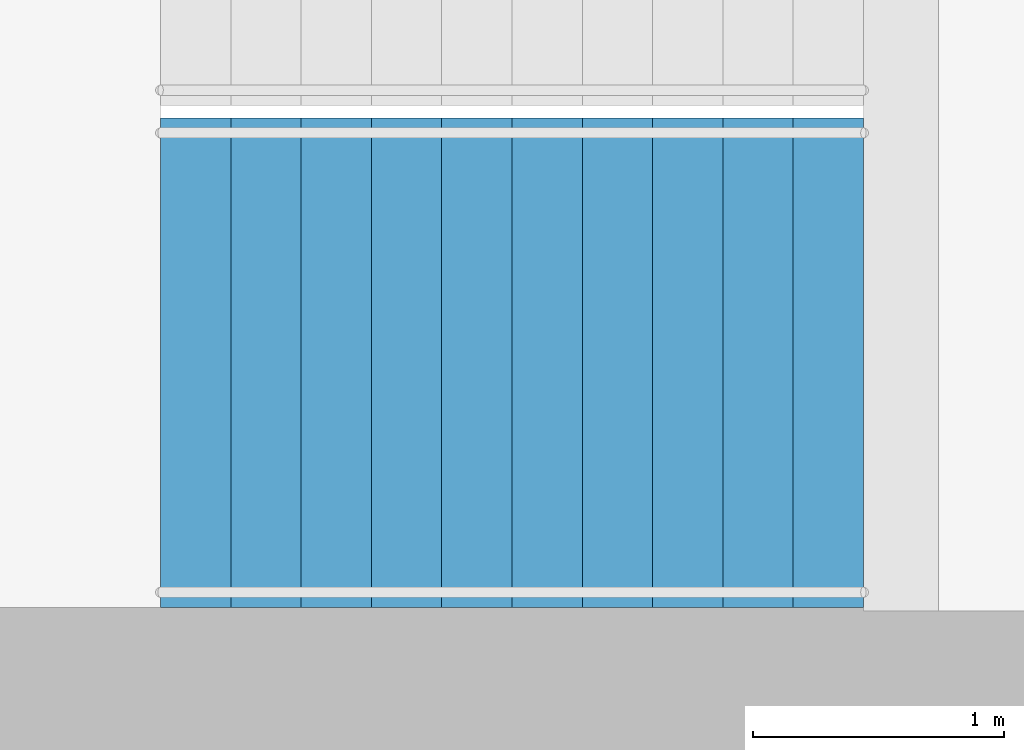
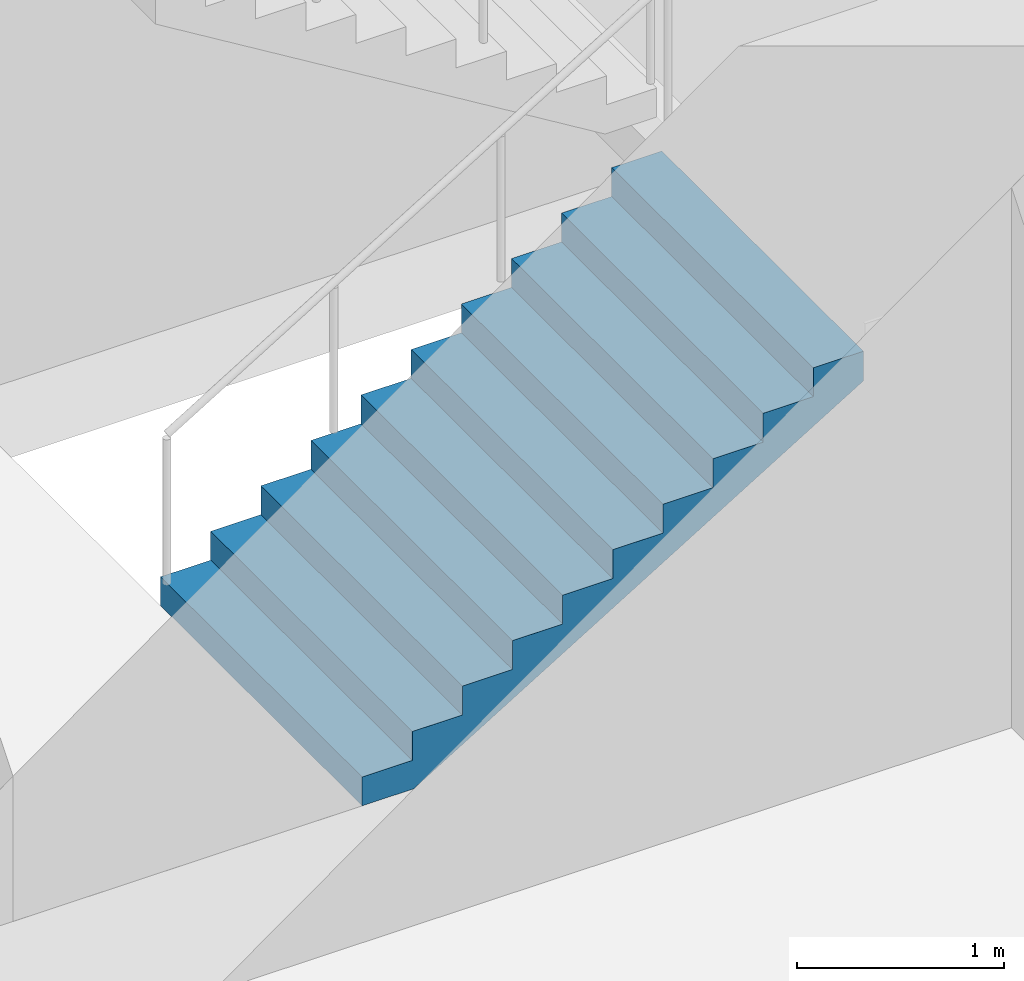
# One storey, part 20 of 26: 1 stair flight, 1 element without a shape of its own.
"""IFC4 building model written with IfcOpenShell, lengths in metres."""

import ifcopenshell
import ifcopenshell.guid

model = None  # the IFC model being written
_history = None  # IfcOwnerHistory: only IFC2X3 demands one
_inside = {}  # id of a spatial element -> (the spatial element, [elements in it])
_under = {}  # id of a project, library or spatial element -> (it, [spatial elements below it])
_declared = {}  # id of a project -> (the project, [libraries it declares])
_typed = {}  # id of a type object -> (the type object, [elements of that type])
_made_of = {}  # id of a material, layer set ... -> (it, [elements and type objects made of it])


def new_model(schema):
    """Start an empty IFC model of exactly this schema.

    Asked for "IFC4X3", IfcOpenShell would pick the latest addendum, in which some entities
    have other attributes; the version numbers below select the first issue.
    IFC2X3 requires an IfcOwnerHistory on every rooted entity: one is made here for all.
    """
    global model, _history
    if schema == "IFC4X3":
        model = ifcopenshell.file(schema_version=(4, 3, 0, 0))
    else:
        model = ifcopenshell.file(schema=schema)
    _inside.clear()
    _under.clear()
    _declared.clear()
    _typed.clear()
    _made_of.clear()
    _history = None
    if model.schema == "IFC2X3":
        org = make("IfcOrganization", Name="unknown")
        user = make(
            "IfcPersonAndOrganization",
            ThePerson=make("IfcPerson", FamilyName="unknown"),
            TheOrganization=org,
        )
        app = make(
            "IfcApplication",
            ApplicationDeveloper=org,
            Version="unknown",
            ApplicationFullName="unknown",
            ApplicationIdentifier="unknown",
        )
        _history = make(
            "IfcOwnerHistory",
            OwningUser=user,
            OwningApplication=app,
            ChangeAction="ADDED",
            CreationDate=0,
        )
    return model


def make(cls, **values):
    """One entity of the class cls with the attributes given. An attribute that is None is left unset."""
    return model.create_entity(
        cls, **{name: value for name, value in values.items() if value is not None}
    )


def rooted(cls, **values):
    """An entity with a GlobalId (a new one), such as an element, a storey or a relation."""
    return make(cls, GlobalId=ifcopenshell.guid.new(), OwnerHistory=_history, **values)


def si_unit(unit_type, name, prefix=None):
    """IfcSIUnit, for example si_unit("LENGTHUNIT", "METRE", prefix="MILLI")."""
    return make("IfcSIUnit", UnitType=unit_type, Prefix=prefix, Name=name)


def assignment(units):
    """IfcUnitAssignment: the units of a project."""
    return None if units is None else make("IfcUnitAssignment", Units=units)


def point(xyz):
    """IfcCartesianPoint."""
    return None if xyz is None else make("IfcCartesianPoint", Coordinates=xyz)


def direction(xyz):
    """IfcDirection."""
    return None if xyz is None else make("IfcDirection", DirectionRatios=xyz)


def frame(location, z_axis=None, x_axis=None):
    """IfcAxis2Placement3D, a coordinate frame: its origin and axes. An axis left out is left unset."""
    return make(
        "IfcAxis2Placement3D",
        Location=point(location),
        Axis=direction(z_axis),
        RefDirection=direction(x_axis),
    )


def origin():
    """The frame at (0, 0, 0) with its axes left unset."""
    return frame((0.0, 0.0, 0.0))


def place(relative_to, where):
    """IfcLocalPlacement: puts the frame where relative to a parent placement (None: the world)."""
    return make(
        "IfcLocalPlacement", PlacementRelTo=relative_to, RelativePlacement=where
    )


def context(
    kind, dimensions, precision=None, world=None, true_north=None, identifier=None
):
    """IfcGeometricRepresentationContext, for example the 3D "Model" context."""
    return make(
        "IfcGeometricRepresentationContext",
        ContextIdentifier=identifier,
        ContextType=kind,
        CoordinateSpaceDimension=dimensions,
        Precision=precision,
        WorldCoordinateSystem=world,
        TrueNorth=true_north,
    )


def subcontext(parent, identifier, kind, view, scale=None):
    """IfcGeometricRepresentationSubContext, for example "Body" below "Model"."""
    return make(
        "IfcGeometricRepresentationSubContext",
        ContextIdentifier=identifier,
        ContextType=kind,
        ParentContext=parent,
        TargetScale=scale,
        TargetView=view,
    )


def project(units=None, contexts=None):
    """IfcProject with its units and contexts."""
    return rooted(
        "IfcProject",
        Name="project",
        RepresentationContexts=contexts,
        UnitsInContext=assignment(units),
    )


def spatial(cls, under=None, at=None, **own):
    """A site, building, storey or space (cls), placed at a placement, below another one or the project."""
    s = rooted(cls, ObjectPlacement=at, **own)
    if under is not None:
        _under.setdefault(under.id(), (under, []))[1].append(s)
    return s


def point_list(points):
    """IfcCartesianPointList2D or 3D."""
    cls = (
        "IfcCartesianPointList2D" if len(points[0]) == 2 else "IfcCartesianPointList3D"
    )
    return make(cls, CoordList=points)


def triangles(points, corners, closed=None, point_numbers=None):
    """IfcTriangulatedFaceSet: each triangle names its three corners, points numbered from 1."""
    return make(
        "IfcTriangulatedFaceSet",
        Coordinates=point_list(points),
        Closed=closed,
        CoordIndex=corners,
        PnIndex=point_numbers,
    )


def shape(context_of_items, identifier, shape_type, items):
    """IfcShapeRepresentation: the items that make up one representation, for example the "Body"."""
    return make(
        "IfcShapeRepresentation",
        ContextOfItems=context_of_items,
        RepresentationIdentifier=identifier,
        RepresentationType=shape_type,
        Items=items,
    )


def material(Name=None, Category=None):
    """IfcMaterial."""
    return make("IfcMaterial", Name=Name, Category=Category)


def made_of(thing, what):
    """Note that an element or type object is made of a material, layer set ...; save() writes the relation."""
    if what is not None:
        _made_of.setdefault(what.id(), (what, []))[1].append(thing)
    return thing


def type_object(cls, material=None, **own):
    """A type object (cls), such as IfcWallType, which elements share."""
    return made_of(rooted(cls, **own), material)


def element(
    cls,
    number,
    at=None,
    inside=None,
    cuts=None,
    type_object=None,
    material=None,
    context=None,
    identifier="Body",
    shape_type=None,
    held_by="IfcProductDefinitionShape",
    body=None,
    shapes=None,
    **own,
):
    """One element of the class cls, such as IfcWall. Its Tag is "e" and its number.

    at: its placement. inside: the storey or other place that contains it. cuts: it is an
    opening in that element (IfcRelVoidsElement). A single representation is given by context,
    identifier, shape_type and body (its items); several are given by shapes. held_by: the class
    of the entity that holds the representations. save() writes the other relations.
    """
    e = rooted(cls, Tag="e%d" % number, ObjectPlacement=at, **own)
    if body is not None:
        shapes = [shape(context, identifier, shape_type, body)]
    if shapes is not None:
        e.Representation = make(held_by, Representations=shapes)
    if inside is not None:
        _inside.setdefault(inside.id(), (inside, []))[1].append(e)
    if cuts is not None:
        rooted(
            "IfcRelVoidsElement", RelatingBuildingElement=cuts, RelatedOpeningElement=e
        )
    if type_object is not None:
        _typed.setdefault(type_object.id(), (type_object, []))[1].append(e)
    return made_of(e, material)


def aggregate(whole, parts):
    """IfcRelAggregates: a whole, such as a stair, and the parts it consists of."""
    return rooted("IfcRelAggregates", RelatingObject=whole, RelatedObjects=parts)


def save(model, path):
    """Write the relations noted so far, then the file.

    IfcRelAggregates (storeys below a building ...), IfcRelContainedInSpatialStructure (elements
    in a storey), IfcRelDefinesByType, IfcRelAssociatesMaterial and IfcRelDeclares: one each for
    every whole, place, type object, material and project.
    """
    for whole, parts in _under.values():
        aggregate(whole, parts)
    for where, things in _inside.values():
        rooted(
            "IfcRelContainedInSpatialStructure",
            RelatedElements=things,
            RelatingStructure=where,
        )
    for kind, things in _typed.values():
        rooted("IfcRelDefinesByType", RelatedObjects=things, RelatingType=kind)
    for what, things in _made_of.values():
        rooted("IfcRelAssociatesMaterial", RelatedObjects=things, RelatingMaterial=what)
    for by, libraries in _declared.values():
        rooted("IfcRelDeclares", RelatingContext=by, RelatedDefinitions=libraries)
    model.write(path)


model = new_model("IFC4")

# Units and contexts
model_context = context("Model", 3, precision=1e-05, world=origin(), true_north=direction((0.0, 1.0)))
body_context = subcontext(model_context, "Body", "Model", "MODEL_VIEW")
ifc_project = project(units=[si_unit("LENGTHUNIT", "METRE"), si_unit("AREAUNIT", "SQUARE_METRE"), si_unit("VOLUMEUNIT", "CUBIC_METRE"), si_unit("PLANEANGLEUNIT", "RADIAN"), si_unit("MASSUNIT", "GRAM", prefix="KILO")], contexts=[model_context])

# Site, building, storey
site_placement = place(None, origin())
site = spatial("IfcSite", under=ifc_project, at=site_placement, CompositionType="ELEMENT")
building_placement = place(site_placement, origin())
building = spatial("IfcBuilding", under=site, at=building_placement, Name="Orbita Commons", CompositionType="ELEMENT")
storey_placement = place(building_placement, frame((0.0, 0.0, 53.949951171875)))
storey = spatial("IfcBuildingStorey", under=building, at=storey_placement, Name="L13", CompositionType="ELEMENT", Elevation=53.949951171875)

# Stair, stair flight
ifc_material_1 = material(Name="Precast concrete C40/50", Category="concrete")
stair_type = type_object("IfcStairType", Name="Exit stair S1 2 flights 11 risers 170", PredefinedType="HALF_TURN_STAIR", material=ifc_material_1)
stair_placement = place(storey_placement, origin())
stair = element("IfcStair", 1, at=stair_placement, inside=storey, type_object=stair_type, Name="Exit stair S1 L13", PredefinedType="HALF_TURN_STAIR")
ifc_material_2 = material(Name="Precast concrete C40/50", Category="concrete")
stair_flight_type = type_object("IfcStairFlightType", Name="Stair flight 11 risers 170 x 280", PredefinedType="STRAIGHT", material=ifc_material_2)
stair_flight_placement = place(storey_placement, frame((20.449951171875, 27.27490234375, 0.0), z_axis=(0.0, 0.0, 1.0), x_axis=(1.0, 0.0, 0.0)))
stair_flight = element("IfcStairFlight", 2, at=stair_flight_placement, type_object=stair_flight_type, Name="S1 flight 1", NumberOfRisers=11, NumberOfTreads=10, PredefinedType="STRAIGHT", RiserHeight=0.170454545, TreadLength=0.28, context=body_context, shape_type="Tessellation", body=[
    triangles([(0.0, 0.974976, 0.0), (0.0, 0.974976, 0.021307), (0.0, 0.81248, 0.021307), (0.0, 0.81248, 0.0), (0.0, 0.649984, 0.021307), (0.0, 0.649984, 0.0), (0.0, 0.487488, 0.021307), (0.0, 0.487488, 0.0), (0.0, 0.324992, 0.021307), (0.0, 0.324992, 0.0), (0.0, 0.162496, 0.021307), (0.0, 0.162496, 0.0), (0.0, 0.0, 0.021307), (0.0, 0.0, 0.0), (0.0, -0.162496, 0.021307), (0.0, -0.162496, 0.0), (0.0, -0.324992, 0.021307), (0.0, -0.324992, 0.0), (0.0, -0.487488, 0.021307), (0.0, -0.487488, 0.0), (0.0, -0.649984, 0.021307), (0.0, -0.649984, 0.0), (0.0, -0.81248, 0.021307), (0.0, -0.81248, 0.0), (0.0, -0.974976, 0.021307), (0.0, -0.974976, 0.0), (0.0, 0.974976, 0.042614), (0.0, 0.81248, 0.042614), (0.0, 0.649984, 0.042614), (0.0, 0.487488, 0.042614), (0.0, 0.324992, 0.042614), (0.0, 0.162496, 0.042614), (0.0, 0.0, 0.042614), (0.0, -0.162496, 0.042614), (0.0, -0.324992, 0.042614), (0.0, -0.487488, 0.042614), (0.0, -0.649984, 0.042614), (0.0, -0.81248, 0.042614), (0.0, -0.974976, 0.042614), (0.0, 0.974976, 0.06392), (0.0, 0.81248, 0.06392), (0.0, 0.649984, 0.06392), (0.0, 0.487488, 0.06392), (0.0, 0.324992, 0.06392), (0.0, 0.162496, 0.06392), (0.0, 0.0, 0.06392), (0.0, -0.162496, 0.06392), (0.0, -0.324992, 0.06392), (0.0, -0.487488, 0.06392), (0.0, -0.649984, 0.06392), (0.0, -0.81248, 0.06392), (0.0, -0.974976, 0.06392), (0.0, 0.974976, 0.085227), (0.0, 0.81248, 0.085227), (0.0, 0.649984, 0.085227), (0.0, 0.487488, 0.085227), (0.0, 0.324992, 0.085227), (0.0, 0.162496, 0.085227), (0.0, 0.0, 0.085227), (0.0, -0.162496, 0.085227), (0.0, -0.324992, 0.085227), (0.0, -0.487488, 0.085227), (0.0, -0.649984, 0.085227), (0.0, -0.81248, 0.085227), (0.0, -0.974976, 0.085227), (0.0, 0.974976, 0.106534), (0.0, 0.81248, 0.106534), (0.0, 0.649984, 0.106534), (0.0, 0.487488, 0.106534), (0.0, 0.324992, 0.106534), (0.0, 0.162496, 0.106534), (0.0, 0.0, 0.106534), (0.0, -0.162496, 0.106534), (0.0, -0.324992, 0.106534), (0.0, -0.487488, 0.106534), (0.0, -0.649984, 0.106534), (0.0, -0.81248, 0.106534), (0.0, -0.974976, 0.106534), (0.0, 0.974976, 0.127841), (0.0, 0.81248, 0.127841), (0.0, 0.649984, 0.127841), (0.0, 0.487488, 0.127841), (0.0, 0.324992, 0.127841), (0.0, 0.162496, 0.127841), (0.0, 0.0, 0.127841), (0.0, -0.162496, 0.127841), (0.0, -0.324992, 0.127841), (0.0, -0.487488, 0.127841), (0.0, -0.649984, 0.127841), (0.0, -0.81248, 0.127841), (0.0, -0.974976, 0.127841), (0.0, 0.974976, 0.149148), (0.0, 0.81248, 0.149148), (0.0, 0.649984, 0.149148), (0.0, 0.487488, 0.149148), (0.0, 0.324992, 0.149148), (0.0, 0.162496, 0.149148), (0.0, 0.0, 0.149148), (0.0, -0.162496, 0.149148), (0.0, -0.324992, 0.149148), (0.0, -0.487488, 0.149148), (0.0, -0.649984, 0.149148), (0.0, -0.81248, 0.149148), (0.0, -0.974976, 0.149148), (0.0, 0.974976, 0.170455), (0.0, 0.81248, 0.170455), (0.0, 0.649984, 0.170455), (0.0, 0.487488, 0.170455), (0.0, 0.324992, 0.170455), (0.0, 0.162496, 0.170455), (0.0, 0.0, 0.170455), (0.0, -0.162496, 0.170455), (0.0, -0.324992, 0.170455), (0.0, -0.487488, 0.170455), (0.0, -0.649984, 0.170455), (0.0, -0.81248, 0.170455), (0.0, -0.974976, 0.170455), (0.28, 0.974976, 0.170455), (0.28, 0.81248, 0.170455), (0.28, 0.649984, 0.170455), (0.28, 0.487488, 0.170455), (0.28, 0.324992, 0.170455), (0.28, 0.162496, 0.170455), (0.28, 0.0, 0.170455), (0.28, -0.162496, 0.170455), (0.28, -0.324992, 0.170455), (0.28, -0.487488, 0.170455), (0.28, -0.649984, 0.170455), (0.28, -0.81248, 0.170455), (0.28, -0.974976, 0.170455), (0.28, 0.974976, 0.340909), (0.28, 0.81248, 0.340909), (0.28, 0.649984, 0.340909), (0.28, 0.487488, 0.340909), (0.28, 0.324992, 0.340909), (0.28, 0.162496, 0.340909), (0.28, 0.0, 0.340909), (0.28, -0.162496, 0.340909), (0.28, -0.324992, 0.340909), (0.28, -0.487488, 0.340909), (0.28, -0.649984, 0.340909), (0.28, -0.81248, 0.340909), (0.28, -0.974976, 0.340909), (0.56, 0.974976, 0.340909), (0.56, 0.81248, 0.340909), (0.56, 0.649984, 0.340909), (0.56, 0.487488, 0.340909), (0.56, 0.324992, 0.340909), (0.56, 0.162496, 0.340909), (0.56, 0.0, 0.340909), (0.56, -0.162496, 0.340909), (0.56, -0.324992, 0.340909), (0.56, -0.487488, 0.340909), (0.56, -0.649984, 0.340909), (0.56, -0.81248, 0.340909), (0.56, -0.974976, 0.340909), (0.56, 0.974976, 0.511364), (0.56, 0.81248, 0.511364), (0.56, 0.649984, 0.511364), (0.56, 0.487488, 0.511364), (0.56, 0.324992, 0.511364), (0.56, 0.162496, 0.511364), (0.56, 0.0, 0.511364), (0.56, -0.162496, 0.511364), (0.56, -0.324992, 0.511364), (0.56, -0.487488, 0.511364), (0.56, -0.649984, 0.511364), (0.56, -0.81248, 0.511364), (0.56, -0.974976, 0.511364), (0.84, 0.974976, 0.511364), (0.84, 0.81248, 0.511364), (0.84, 0.649984, 0.511364), (0.84, 0.487488, 0.511364), (0.84, 0.324992, 0.511364), (0.84, 0.162496, 0.511364), (0.84, 0.0, 0.511364), (0.84, -0.162496, 0.511364), (0.84, -0.324992, 0.511364), (0.84, -0.487488, 0.511364), (0.84, -0.649984, 0.511364), (0.84, -0.81248, 0.511364), (0.84, -0.974976, 0.511364), (0.84, 0.974976, 0.681818), (0.84, 0.81248, 0.681818), (0.84, 0.649984, 0.681818), (0.84, 0.487488, 0.681818), (0.84, 0.324992, 0.681818), (0.84, 0.162496, 0.681818), (0.84, 0.0, 0.681818), (0.84, -0.162496, 0.681818), (0.84, -0.324992, 0.681818), (0.84, -0.487488, 0.681818), (0.84, -0.649984, 0.681818), (0.84, -0.81248, 0.681818), (0.84, -0.974976, 0.681818), (1.12, 0.974976, 0.681818), (1.12, 0.81248, 0.681818), (1.12, 0.649984, 0.681818), (1.12, 0.487488, 0.681818), (1.12, 0.324992, 0.681818), (1.12, 0.162496, 0.681818), (1.12, 0.0, 0.681818), (1.12, -0.162496, 0.681818), (1.12, -0.324992, 0.681818), (1.12, -0.487488, 0.681818), (1.12, -0.649984, 0.681818), (1.12, -0.81248, 0.681818), (1.12, -0.974976, 0.681818), (1.12, 0.974976, 0.852273), (1.12, 0.81248, 0.852273), (1.12, 0.649984, 0.852273), (1.12, 0.487488, 0.852273), (1.12, 0.324992, 0.852273), (1.12, 0.162496, 0.852273), (1.12, 0.0, 0.852273), (1.12, -0.162496, 0.852273), (1.12, -0.324992, 0.852273), (1.12, -0.487488, 0.852273), (1.12, -0.649984, 0.852273), (1.12, -0.81248, 0.852273), (1.12, -0.974976, 0.852273), (1.4, 0.974976, 0.852273), (1.4, 0.81248, 0.852273), (1.4, 0.649984, 0.852273), (1.4, 0.487488, 0.852273), (1.4, 0.324992, 0.852273), (1.4, 0.162496, 0.852273), (1.4, 0.0, 0.852273), (1.4, -0.162496, 0.852273), (1.4, -0.324992, 0.852273), (1.4, -0.487488, 0.852273), (1.4, -0.649984, 0.852273), (1.4, -0.81248, 0.852273), (1.4, -0.974976, 0.852273), (1.4, 0.974976, 1.022727), (1.4, 0.81248, 1.022727), (1.4, 0.649984, 1.022727), (1.4, 0.487488, 1.022727), (1.4, 0.324992, 1.022727), (1.4, 0.162496, 1.022727), (1.4, 0.0, 1.022727), (1.4, -0.162496, 1.022727), (1.4, -0.324992, 1.022727), (1.4, -0.487488, 1.022727), (1.4, -0.649984, 1.022727), (1.4, -0.81248, 1.022727), (1.4, -0.974976, 1.022727), (1.68, 0.974976, 1.022727), (1.68, 0.81248, 1.022727), (1.68, 0.649984, 1.022727), (1.68, 0.487488, 1.022727), (1.68, 0.324992, 1.022727), (1.68, 0.162496, 1.022727), (1.68, 0.0, 1.022727), (1.68, -0.162496, 1.022727), (1.68, -0.324992, 1.022727), (1.68, -0.487488, 1.022727), (1.68, -0.649984, 1.022727), (1.68, -0.81248, 1.022727), (1.68, -0.974976, 1.022727), (1.68, 0.974976, 1.193182), (1.68, 0.81248, 1.193182), (1.68, 0.649984, 1.193182), (1.68, 0.487488, 1.193182), (1.68, 0.324992, 1.193182), (1.68, 0.162496, 1.193182), (1.68, 0.0, 1.193182), (1.68, -0.162496, 1.193182), (1.68, -0.324992, 1.193182), (1.68, -0.487488, 1.193182), (1.68, -0.649984, 1.193182), (1.68, -0.81248, 1.193182), (1.68, -0.974976, 1.193182), (1.96, 0.974976, 1.193182), (1.96, 0.81248, 1.193182), (1.96, 0.649984, 1.193182), (1.96, 0.487488, 1.193182), (1.96, 0.324992, 1.193182), (1.96, 0.162496, 1.193182), (1.96, 0.0, 1.193182), (1.96, -0.162496, 1.193182), (1.96, -0.324992, 1.193182), (1.96, -0.487488, 1.193182), (1.96, -0.649984, 1.193182), (1.96, -0.81248, 1.193182), (1.96, -0.974976, 1.193182), (1.96, 0.974976, 1.363636), (1.96, 0.81248, 1.363636), (1.96, 0.649984, 1.363636), (1.96, 0.487488, 1.363636), (1.96, 0.324992, 1.363636), (1.96, 0.162496, 1.363636), (1.96, 0.0, 1.363636), (1.96, -0.162496, 1.363636), (1.96, -0.324992, 1.363636), (1.96, -0.487488, 1.363636), (1.96, -0.649984, 1.363636), (1.96, -0.81248, 1.363636), (1.96, -0.974976, 1.363636), (2.24, 0.974976, 1.363636), (2.24, 0.81248, 1.363636), (2.24, 0.649984, 1.363636), (2.24, 0.487488, 1.363636), (2.24, 0.324992, 1.363636), (2.24, 0.162496, 1.363636), (2.24, 0.0, 1.363636), (2.24, -0.162496, 1.363636), (2.24, -0.324992, 1.363636), (2.24, -0.487488, 1.363636), (2.24, -0.649984, 1.363636), (2.24, -0.81248, 1.363636), (2.24, -0.974976, 1.363636), (2.24, 0.974976, 1.534091), (2.24, 0.81248, 1.534091), (2.24, 0.649984, 1.534091), (2.24, 0.487488, 1.534091), (2.24, 0.324992, 1.534091), (2.24, 0.162496, 1.534091), (2.24, 0.0, 1.534091), (2.24, -0.162496, 1.534091), (2.24, -0.324992, 1.534091), (2.24, -0.487488, 1.534091), (2.24, -0.649984, 1.534091), (2.24, -0.81248, 1.534091), (2.24, -0.974976, 1.534091), (2.52, 0.974976, 1.534091), (2.52, 0.81248, 1.534091), (2.52, 0.649984, 1.534091), (2.52, 0.487488, 1.534091), (2.52, 0.324992, 1.534091), (2.52, 0.162496, 1.534091), (2.52, 0.0, 1.534091), (2.52, -0.162496, 1.534091), (2.52, -0.324992, 1.534091), (2.52, -0.487488, 1.534091), (2.52, -0.649984, 1.534091), (2.52, -0.81248, 1.534091), (2.52, -0.974976, 1.534091), (2.52, 0.974976, 1.704545), (2.52, 0.81248, 1.704545), (2.52, 0.649984, 1.704545), (2.52, 0.487488, 1.704545), (2.52, 0.324992, 1.704545), (2.52, 0.162496, 1.704545), (2.52, 0.0, 1.704545), (2.52, -0.162496, 1.704545), (2.52, -0.324992, 1.704545), (2.52, -0.487488, 1.704545), (2.52, -0.649984, 1.704545), (2.52, -0.81248, 1.704545), (2.52, -0.974976, 1.704545), (2.8, 0.974976, 1.704545), (2.8, 0.81248, 1.704545), (2.8, 0.649984, 1.704545), (2.8, 0.487488, 1.704545), (2.8, 0.324992, 1.704545), (2.8, 0.162496, 1.704545), (2.8, 0.0, 1.704545), (2.8, -0.162496, 1.704545), (2.8, -0.324992, 1.704545), (2.8, -0.487488, 1.704545), (2.8, -0.649984, 1.704545), (2.8, -0.81248, 1.704545), (2.8, -0.974976, 1.704545), (2.8, 0.974976, 1.682609), (2.8, 0.81248, 1.682609), (2.8, 0.649984, 1.682609), (2.8, 0.487488, 1.682609), (2.8, 0.324992, 1.682609), (2.8, 0.162496, 1.682609), (2.8, 0.0, 1.682609), (2.8, -0.162496, 1.682609), (2.8, -0.324992, 1.682609), (2.8, -0.487488, 1.682609), (2.8, -0.649984, 1.682609), (2.8, -0.81248, 1.682609), (2.8, -0.974976, 1.682609), (2.8, 0.974976, 1.660672), (2.8, 0.81248, 1.660672), (2.8, 0.649984, 1.660672), (2.8, 0.487488, 1.660672), (2.8, 0.324992, 1.660672), (2.8, 0.162496, 1.660672), (2.8, 0.0, 1.660672), (2.8, -0.162496, 1.660672), (2.8, -0.324992, 1.660672), (2.8, -0.487488, 1.660672), (2.8, -0.649984, 1.660672), (2.8, -0.81248, 1.660672), (2.8, -0.974976, 1.660672), (2.8, 0.974976, 1.638735), (2.8, 0.81248, 1.638735), (2.8, 0.649984, 1.638735), (2.8, 0.487488, 1.638735), (2.8, 0.324992, 1.638735), (2.8, 0.162496, 1.638735), (2.8, 0.0, 1.638735), (2.8, -0.162496, 1.638735), (2.8, -0.324992, 1.638735), (2.8, -0.487488, 1.638735), (2.8, -0.649984, 1.638735), (2.8, -0.81248, 1.638735), (2.8, -0.974976, 1.638735), (2.8, 0.974976, 1.616798), (2.8, 0.81248, 1.616798), (2.8, 0.649984, 1.616798), (2.8, 0.487488, 1.616798), (2.8, 0.324992, 1.616798), (2.8, 0.162496, 1.616798), (2.8, 0.0, 1.616798), (2.8, -0.162496, 1.616798), (2.8, -0.324992, 1.616798), (2.8, -0.487488, 1.616798), (2.8, -0.649984, 1.616798), (2.8, -0.81248, 1.616798), (2.8, -0.974976, 1.616798), (2.8, 0.974976, 1.594861), (2.8, 0.81248, 1.594861), (2.8, 0.649984, 1.594861), (2.8, 0.487488, 1.594861), (2.8, 0.324992, 1.594861), (2.8, 0.162496, 1.594861), (2.8, 0.0, 1.594861), (2.8, -0.162496, 1.594861), (2.8, -0.324992, 1.594861), (2.8, -0.487488, 1.594861), (2.8, -0.649984, 1.594861), (2.8, -0.81248, 1.594861), (2.8, -0.974976, 1.594861), (2.8, 0.974976, 1.572925), (2.8, 0.81248, 1.572925), (2.8, 0.649984, 1.572925), (2.8, 0.487488, 1.572925), (2.8, 0.324992, 1.572925), (2.8, 0.162496, 1.572925), (2.8, 0.0, 1.572925), (2.8, -0.162496, 1.572925), (2.8, -0.324992, 1.572925), (2.8, -0.487488, 1.572925), (2.8, -0.649984, 1.572925), (2.8, -0.81248, 1.572925), (2.8, -0.974976, 1.572925), (2.8, 0.974976, 1.550988), (2.8, 0.81248, 1.550988), (2.8, 0.649984, 1.550988), (2.8, 0.487488, 1.550988), (2.8, 0.324992, 1.550988), (2.8, 0.162496, 1.550988), (2.8, 0.0, 1.550988), (2.8, -0.162496, 1.550988), (2.8, -0.324992, 1.550988), (2.8, -0.487488, 1.550988), (2.8, -0.649984, 1.550988), (2.8, -0.81248, 1.550988), (2.8, -0.974976, 1.550988), (2.8, 0.974976, 1.529051), (2.8, 0.81248, 1.529051), (2.8, 0.649984, 1.529051), (2.8, 0.487488, 1.529051), (2.8, 0.324992, 1.529051), (2.8, 0.162496, 1.529051), (2.8, 0.0, 1.529051), (2.8, -0.162496, 1.529051), (2.8, -0.324992, 1.529051), (2.8, -0.487488, 1.529051), (2.8, -0.649984, 1.529051), (2.8, -0.81248, 1.529051), (2.8, -0.974976, 1.529051), (0.288279, 0.974976, 0.0), (0.288279, 0.81248, 0.0), (0.288279, 0.649984, 0.0), (0.288279, 0.487488, 0.0), (0.288279, 0.324992, 0.0), (0.288279, 0.162496, 0.0), (0.288279, 0.0, 0.0), (0.288279, -0.162496, 0.0), (0.288279, -0.324992, 0.0), (0.288279, -0.487488, 0.0), (0.288279, -0.649984, 0.0), (0.288279, -0.81248, 0.0), (0.288279, -0.974976, 0.0)], [[3, 2, 1], [4, 3, 1], [5, 3, 4], [6, 5, 4], [7, 5, 6], [8, 7, 6], [9, 7, 8], [10, 9, 8], [11, 9, 10], [12, 11, 10], [13, 11, 12], [14, 13, 12], [15, 13, 14], [16, 15, 14], [17, 15, 16], [18, 17, 16], [19, 17, 18], [20, 19, 18], [21, 19, 20], [22, 21, 20], [23, 21, 22], [24, 23, 22], [25, 23, 24], [26, 25, 24], [28, 27, 2], [3, 28, 2], [29, 28, 3], [5, 29, 3], [30, 29, 5], [7, 30, 5], [31, 30, 7], [9, 31, 7], [32, 31, 9], [11, 32, 9], [33, 32, 11], [13, 33, 11], [34, 33, 13], [15, 34, 13], [35, 34, 15], [17, 35, 15], [36, 35, 17], [19, 36, 17], [37, 36, 19], [21, 37, 19], [38, 37, 21], [23, 38, 21], [39, 38, 23], [25, 39, 23], [41, 40, 27], [28, 41, 27], [42, 41, 28], [29, 42, 28], [43, 42, 29], [30, 43, 29], [44, 43, 30], [31, 44, 30], [45, 44, 31], [32, 45, 31], [46, 45, 32], [33, 46, 32], [47, 46, 33], [34, 47, 33], [48, 47, 34], [35, 48, 34], [49, 48, 35], [36, 49, 35], [50, 49, 36], [37, 50, 36], [51, 50, 37], [38, 51, 37], [52, 51, 38], [39, 52, 38], [54, 53, 40], [41, 54, 40], [55, 54, 41], [42, 55, 41], [56, 55, 42], [43, 56, 42], [57, 56, 43], [44, 57, 43], [58, 57, 44], [45, 58, 44], [59, 58, 45], [46, 59, 45], [60, 59, 46], [47, 60, 46], [61, 60, 47], [48, 61, 47], [62, 61, 48], [49, 62, 48], [63, 62, 49], [50, 63, 49], [64, 63, 50], [51, 64, 50], [65, 64, 51], [52, 65, 51], [67, 66, 53], [54, 67, 53], [68, 67, 54], [55, 68, 54], [69, 68, 55], [56, 69, 55], [70, 69, 56], [57, 70, 56], [71, 70, 57], [58, 71, 57], [72, 71, 58], [59, 72, 58], [73, 72, 59], [60, 73, 59], [74, 73, 60], [61, 74, 60], [75, 74, 61], [62, 75, 61], [76, 75, 62], [63, 76, 62], [77, 76, 63], [64, 77, 63], [78, 77, 64], [65, 78, 64], [80, 79, 66], [67, 80, 66], [81, 80, 67], [68, 81, 67], [82, 81, 68], [69, 82, 68], [83, 82, 69], [70, 83, 69], [84, 83, 70], [71, 84, 70], [85, 84, 71], [72, 85, 71], [86, 85, 72], [73, 86, 72], [87, 86, 73], [74, 87, 73], [88, 87, 74], [75, 88, 74], [89, 88, 75], [76, 89, 75], [90, 89, 76], [77, 90, 76], [91, 90, 77], [78, 91, 77], [93, 92, 79], [80, 93, 79], [94, 93, 80], [81, 94, 80], [95, 94, 81], [82, 95, 81], [96, 95, 82], [83, 96, 82], [97, 96, 83], [84, 97, 83], [98, 97, 84], [85, 98, 84], [99, 98, 85], [86, 99, 85], [100, 99, 86], [87, 100, 86], [101, 100, 87], [88, 101, 87], [102, 101, 88], [89, 102, 88], [103, 102, 89], [90, 103, 89], [104, 103, 90], [91, 104, 90], [106, 105, 92], [93, 106, 92], [107, 106, 93], [94, 107, 93], [108, 107, 94], [95, 108, 94], [109, 108, 95], [96, 109, 95], [110, 109, 96], [97, 110, 96], [111, 110, 97], [98, 111, 97], [112, 111, 98], [99, 112, 98], [113, 112, 99], [100, 113, 99], [114, 113, 100], [101, 114, 100], [115, 114, 101], [102, 115, 101], [116, 115, 102], [103, 116, 102], [117, 116, 103], [104, 117, 103], [119, 118, 105], [106, 119, 105], [120, 119, 106], [107, 120, 106], [121, 120, 107], [108, 121, 107], [122, 121, 108], [109, 122, 108], [123, 122, 109], [110, 123, 109], [124, 123, 110], [111, 124, 110], [125, 124, 111], [112, 125, 111], [126, 125, 112], [113, 126, 112], [127, 126, 113], [114, 127, 113], [128, 127, 114], [115, 128, 114], [129, 128, 115], [116, 129, 115], [130, 129, 116], [117, 130, 116], [132, 131, 118], [119, 132, 118], [133, 132, 119], [120, 133, 119], [134, 133, 120], [121, 134, 120], [135, 134, 121], [122, 135, 121], [136, 135, 122], [123, 136, 122], [137, 136, 123], [124, 137, 123], [138, 137, 124], [125, 138, 124], [139, 138, 125], [126, 139, 125], [140, 139, 126], [127, 140, 126], [141, 140, 127], [128, 141, 127], [142, 141, 128], [129, 142, 128], [143, 142, 129], [130, 143, 129], [145, 144, 131], [132, 145, 131], [146, 145, 132], [133, 146, 132], [147, 146, 133], [134, 147, 133], [148, 147, 134], [135, 148, 134], [149, 148, 135], [136, 149, 135], [150, 149, 136], [137, 150, 136], [151, 150, 137], [138, 151, 137], [152, 151, 138], [139, 152, 138], [153, 152, 139], [140, 153, 139], [154, 153, 140], [141, 154, 140], [155, 154, 141], [142, 155, 141], [156, 155, 142], [143, 156, 142], [158, 157, 144], [145, 158, 144], [159, 158, 145], [146, 159, 145], [160, 159, 146], [147, 160, 146], [161, 160, 147], [148, 161, 147], [162, 161, 148], [149, 162, 148], [163, 162, 149], [150, 163, 149], [164, 163, 150], [151, 164, 150], [165, 164, 151], [152, 165, 151], [166, 165, 152], [153, 166, 152], [167, 166, 153], [154, 167, 153], [168, 167, 154], [155, 168, 154], [169, 168, 155], [156, 169, 155], [171, 170, 157], [158, 171, 157], [172, 171, 158], [159, 172, 158], [173, 172, 159], [160, 173, 159], [174, 173, 160], [161, 174, 160], [175, 174, 161], [162, 175, 161], [176, 175, 162], [163, 176, 162], [177, 176, 163], [164, 177, 163], [178, 177, 164], [165, 178, 164], [179, 178, 165], [166, 179, 165], [180, 179, 166], [167, 180, 166], [181, 180, 167], [168, 181, 167], [182, 181, 168], [169, 182, 168], [184, 183, 170], [171, 184, 170], [185, 184, 171], [172, 185, 171], [186, 185, 172], [173, 186, 172], [187, 186, 173], [174, 187, 173], [188, 187, 174], [175, 188, 174], [189, 188, 175], [176, 189, 175], [190, 189, 176], [177, 190, 176], [191, 190, 177], [178, 191, 177], [192, 191, 178], [179, 192, 178], [193, 192, 179], [180, 193, 179], [194, 193, 180], [181, 194, 180], [195, 194, 181], [182, 195, 181], [197, 196, 183], [184, 197, 183], [198, 197, 184], [185, 198, 184], [199, 198, 185], [186, 199, 185], [200, 199, 186], [187, 200, 186], [201, 200, 187], [188, 201, 187], [202, 201, 188], [189, 202, 188], [203, 202, 189], [190, 203, 189], [204, 203, 190], [191, 204, 190], [205, 204, 191], [192, 205, 191], [206, 205, 192], [193, 206, 192], [207, 206, 193], [194, 207, 193], [208, 207, 194], [195, 208, 194], [210, 209, 196], [197, 210, 196], [211, 210, 197], [198, 211, 197], [212, 211, 198], [199, 212, 198], [213, 212, 199], [200, 213, 199], [214, 213, 200], [201, 214, 200], [215, 214, 201], [202, 215, 201], [216, 215, 202], [203, 216, 202], [217, 216, 203], [204, 217, 203], [218, 217, 204], [205, 218, 204], [219, 218, 205], [206, 219, 205], [220, 219, 206], [207, 220, 206], [221, 220, 207], [208, 221, 207], [223, 222, 209], [210, 223, 209], [224, 223, 210], [211, 224, 210], [225, 224, 211], [212, 225, 211], [226, 225, 212], [213, 226, 212], [227, 226, 213], [214, 227, 213], [228, 227, 214], [215, 228, 214], [229, 228, 215], [216, 229, 215], [230, 229, 216], [217, 230, 216], [231, 230, 217], [218, 231, 217], [232, 231, 218], [219, 232, 218], [233, 232, 219], [220, 233, 219], [234, 233, 220], [221, 234, 220], [236, 235, 222], [223, 236, 222], [237, 236, 223], [224, 237, 223], [238, 237, 224], [225, 238, 224], [239, 238, 225], [226, 239, 225], [240, 239, 226], [227, 240, 226], [241, 240, 227], [228, 241, 227], [242, 241, 228], [229, 242, 228], [243, 242, 229], [230, 243, 229], [244, 243, 230], [231, 244, 230], [245, 244, 231], [232, 245, 231], [246, 245, 232], [233, 246, 232], [247, 246, 233], [234, 247, 233], [249, 248, 235], [236, 249, 235], [250, 249, 236], [237, 250, 236], [251, 250, 237], [238, 251, 237], [252, 251, 238], [239, 252, 238], [253, 252, 239], [240, 253, 239], [254, 253, 240], [241, 254, 240], [255, 254, 241], [242, 255, 241], [256, 255, 242], [243, 256, 242], [257, 256, 243], [244, 257, 243], [258, 257, 244], [245, 258, 244], [259, 258, 245], [246, 259, 245], [260, 259, 246], [247, 260, 246], [262, 261, 248], [249, 262, 248], [263, 262, 249], [250, 263, 249], [264, 263, 250], [251, 264, 250], [265, 264, 251], [252, 265, 251], [266, 265, 252], [253, 266, 252], [267, 266, 253], [254, 267, 253], [268, 267, 254], [255, 268, 254], [269, 268, 255], [256, 269, 255], [270, 269, 256], [257, 270, 256], [271, 270, 257], [258, 271, 257], [272, 271, 258], [259, 272, 258], [273, 272, 259], [260, 273, 259], [275, 274, 261], [262, 275, 261], [276, 275, 262], [263, 276, 262], [277, 276, 263], [264, 277, 263], [278, 277, 264], [265, 278, 264], [279, 278, 265], [266, 279, 265], [280, 279, 266], [267, 280, 266], [281, 280, 267], [268, 281, 267], [282, 281, 268], [269, 282, 268], [283, 282, 269], [270, 283, 269], [284, 283, 270], [271, 284, 270], [285, 284, 271], [272, 285, 271], [286, 285, 272], [273, 286, 272], [288, 287, 274], [275, 288, 274], [289, 288, 275], [276, 289, 275], [290, 289, 276], [277, 290, 276], [291, 290, 277], [278, 291, 277], [292, 291, 278], [279, 292, 278], [293, 292, 279], [280, 293, 279], [294, 293, 280], [281, 294, 280], [295, 294, 281], [282, 295, 281], [296, 295, 282], [283, 296, 282], [297, 296, 283], [284, 297, 283], [298, 297, 284], [285, 298, 284], [299, 298, 285], [286, 299, 285], [301, 300, 287], [288, 301, 287], [302, 301, 288], [289, 302, 288], [303, 302, 289], [290, 303, 289], [304, 303, 290], [291, 304, 290], [305, 304, 291], [292, 305, 291], [306, 305, 292], [293, 306, 292], [307, 306, 293], [294, 307, 293], [308, 307, 294], [295, 308, 294], [309, 308, 295], [296, 309, 295], [310, 309, 296], [297, 310, 296], [311, 310, 297], [298, 311, 297], [312, 311, 298], [299, 312, 298], [314, 313, 300], [301, 314, 300], [315, 314, 301], [302, 315, 301], [316, 315, 302], [303, 316, 302], [317, 316, 303], [304, 317, 303], [318, 317, 304], [305, 318, 304], [319, 318, 305], [306, 319, 305], [320, 319, 306], [307, 320, 306], [321, 320, 307], [308, 321, 307], [322, 321, 308], [309, 322, 308], [323, 322, 309], [310, 323, 309], [324, 323, 310], [311, 324, 310], [325, 324, 311], [312, 325, 311], [327, 326, 313], [314, 327, 313], [328, 327, 314], [315, 328, 314], [329, 328, 315], [316, 329, 315], [330, 329, 316], [317, 330, 316], [331, 330, 317], [318, 331, 317], [332, 331, 318], [319, 332, 318], [333, 332, 319], [320, 333, 319], [334, 333, 320], [321, 334, 320], [335, 334, 321], [322, 335, 321], [336, 335, 322], [323, 336, 322], [337, 336, 323], [324, 337, 323], [338, 337, 324], [325, 338, 324], [340, 339, 326], [327, 340, 326], [341, 340, 327], [328, 341, 327], [342, 341, 328], [329, 342, 328], [343, 342, 329], [330, 343, 329], [344, 343, 330], [331, 344, 330], [345, 344, 331], [332, 345, 331], [346, 345, 332], [333, 346, 332], [347, 346, 333], [334, 347, 333], [348, 347, 334], [335, 348, 334], [349, 348, 335], [336, 349, 335], [350, 349, 336], [337, 350, 336], [351, 350, 337], [338, 351, 337], [353, 352, 339], [340, 353, 339], [354, 353, 340], [341, 354, 340], [355, 354, 341], [342, 355, 341], [356, 355, 342], [343, 356, 342], [357, 356, 343], [344, 357, 343], [358, 357, 344], [345, 358, 344], [359, 358, 345], [346, 359, 345], [360, 359, 346], [347, 360, 346], [361, 360, 347], [348, 361, 347], [362, 361, 348], [349, 362, 348], [363, 362, 349], [350, 363, 349], [364, 363, 350], [351, 364, 350], [366, 365, 352], [353, 366, 352], [367, 366, 353], [354, 367, 353], [368, 367, 354], [355, 368, 354], [369, 368, 355], [356, 369, 355], [370, 369, 356], [357, 370, 356], [371, 370, 357], [358, 371, 357], [372, 371, 358], [359, 372, 358], [373, 372, 359], [360, 373, 359], [374, 373, 360], [361, 374, 360], [375, 374, 361], [362, 375, 361], [376, 375, 362], [363, 376, 362], [377, 376, 363], [364, 377, 363], [379, 378, 365], [366, 379, 365], [380, 379, 366], [367, 380, 366], [381, 380, 367], [368, 381, 367], [382, 381, 368], [369, 382, 368], [383, 382, 369], [370, 383, 369], [384, 383, 370], [371, 384, 370], [385, 384, 371], [372, 385, 371], [386, 385, 372], [373, 386, 372], [387, 386, 373], [374, 387, 373], [388, 387, 374], [375, 388, 374], [389, 388, 375], [376, 389, 375], [390, 389, 376], [377, 390, 376], [392, 391, 378], [379, 392, 378], [393, 392, 379], [380, 393, 379], [394, 393, 380], [381, 394, 380], [395, 394, 381], [382, 395, 381], [396, 395, 382], [383, 396, 382], [397, 396, 383], [384, 397, 383], [398, 397, 384], [385, 398, 384], [399, 398, 385], [386, 399, 385], [400, 399, 386], [387, 400, 386], [401, 400, 387], [388, 401, 387], [402, 401, 388], [389, 402, 388], [403, 402, 389], [390, 403, 389], [405, 404, 391], [392, 405, 391], [406, 405, 392], [393, 406, 392], [407, 406, 393], [394, 407, 393], [408, 407, 394], [395, 408, 394], [409, 408, 395], [396, 409, 395], [410, 409, 396], [397, 410, 396], [411, 410, 397], [398, 411, 397], [412, 411, 398], [399, 412, 398], [413, 412, 399], [400, 413, 399], [414, 413, 400], [401, 414, 400], [415, 414, 401], [402, 415, 401], [416, 415, 402], [403, 416, 402], [418, 417, 404], [405, 418, 404], [419, 418, 405], [406, 419, 405], [420, 419, 406], [407, 420, 406], [421, 420, 407], [408, 421, 407], [422, 421, 408], [409, 422, 408], [423, 422, 409], [410, 423, 409], [424, 423, 410], [411, 424, 410], [425, 424, 411], [412, 425, 411], [426, 425, 412], [413, 426, 412], [427, 426, 413], [414, 427, 413], [428, 427, 414], [415, 428, 414], [429, 428, 415], [416, 429, 415], [431, 430, 417], [418, 431, 417], [432, 431, 418], [419, 432, 418], [433, 432, 419], [420, 433, 419], [434, 433, 420], [421, 434, 420], [435, 434, 421], [422, 435, 421], [436, 435, 422], [423, 436, 422], [437, 436, 423], [424, 437, 423], [438, 437, 424], [425, 438, 424], [439, 438, 425], [426, 439, 425], [440, 439, 426], [427, 440, 426], [441, 440, 427], [428, 441, 427], [442, 441, 428], [429, 442, 428], [444, 443, 430], [431, 444, 430], [445, 444, 431], [432, 445, 431], [446, 445, 432], [433, 446, 432], [447, 446, 433], [434, 447, 433], [448, 447, 434], [435, 448, 434], [449, 448, 435], [436, 449, 435], [450, 449, 436], [437, 450, 436], [451, 450, 437], [438, 451, 437], [452, 451, 438], [439, 452, 438], [453, 452, 439], [440, 453, 439], [454, 453, 440], [441, 454, 440], [455, 454, 441], [442, 455, 441], [457, 456, 443], [444, 457, 443], [458, 457, 444], [445, 458, 444], [459, 458, 445], [446, 459, 445], [460, 459, 446], [447, 460, 446], [461, 460, 447], [448, 461, 447], [462, 461, 448], [449, 462, 448], [463, 462, 449], [450, 463, 449], [464, 463, 450], [451, 464, 450], [465, 464, 451], [452, 465, 451], [466, 465, 452], [453, 466, 452], [467, 466, 453], [454, 467, 453], [468, 467, 454], [455, 468, 454], [470, 469, 456], [457, 470, 456], [471, 470, 457], [458, 471, 457], [472, 471, 458], [459, 472, 458], [473, 472, 459], [460, 473, 459], [474, 473, 460], [461, 474, 460], [475, 474, 461], [462, 475, 461], [476, 475, 462], [463, 476, 462], [477, 476, 463], [464, 477, 463], [478, 477, 464], [465, 478, 464], [479, 478, 465], [466, 479, 465], [480, 479, 466], [467, 480, 466], [481, 480, 467], [468, 481, 467], [4, 1, 469], [470, 4, 469], [6, 4, 470], [471, 6, 470], [8, 6, 471], [472, 8, 471], [10, 8, 472], [473, 10, 472], [12, 10, 473], [474, 12, 473], [14, 12, 474], [475, 14, 474], [16, 14, 475], [476, 16, 475], [18, 16, 476], [477, 18, 476], [20, 18, 477], [478, 20, 477], [22, 20, 478], [479, 22, 478], [24, 22, 479], [480, 24, 479], [26, 24, 480], [481, 26, 480], [456, 469, 1], [26, 481, 468], [443, 456, 1], [26, 468, 455], [430, 443, 1], [26, 455, 442], [417, 430, 1], [26, 442, 429], [404, 417, 1], [26, 429, 416], [391, 404, 1], [26, 416, 403], [378, 391, 1], [26, 403, 390], [365, 378, 1], [26, 390, 377], [339, 352, 365], [377, 364, 351], [326, 339, 365], [377, 351, 338], [300, 313, 326], [338, 325, 312], [300, 326, 365], [377, 338, 312], [274, 287, 300], [312, 299, 286], [274, 300, 365], [377, 312, 286], [248, 261, 274], [286, 273, 260], [248, 274, 365], [377, 286, 260], [222, 235, 248], [260, 247, 234], [222, 248, 365], [377, 260, 234], [196, 209, 222], [234, 221, 208], [196, 222, 365], [377, 234, 208], [170, 183, 196], [208, 195, 182], [170, 196, 365], [377, 208, 182], [144, 157, 170], [182, 169, 156], [144, 170, 365], [377, 182, 156], [118, 131, 144], [156, 143, 130], [118, 144, 365], [377, 156, 130], [118, 365, 1], [26, 377, 130], [92, 105, 118], [130, 117, 104], [79, 92, 118], [130, 104, 91], [66, 79, 118], [130, 91, 78], [53, 66, 118], [130, 78, 65], [40, 53, 118], [130, 65, 52], [27, 40, 118], [130, 52, 39], [2, 27, 118], [130, 39, 25], [1, 2, 118], [130, 25, 26]], closed=True),
])
aggregate(stair, [stair_flight])

save(model, "model.ifc")
